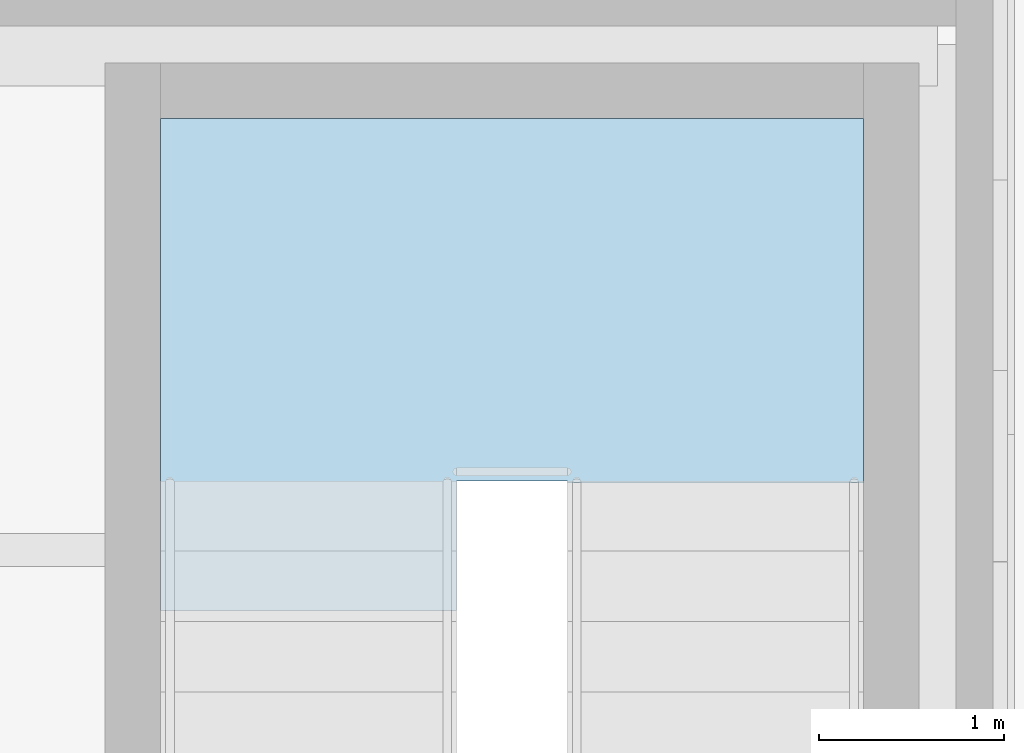
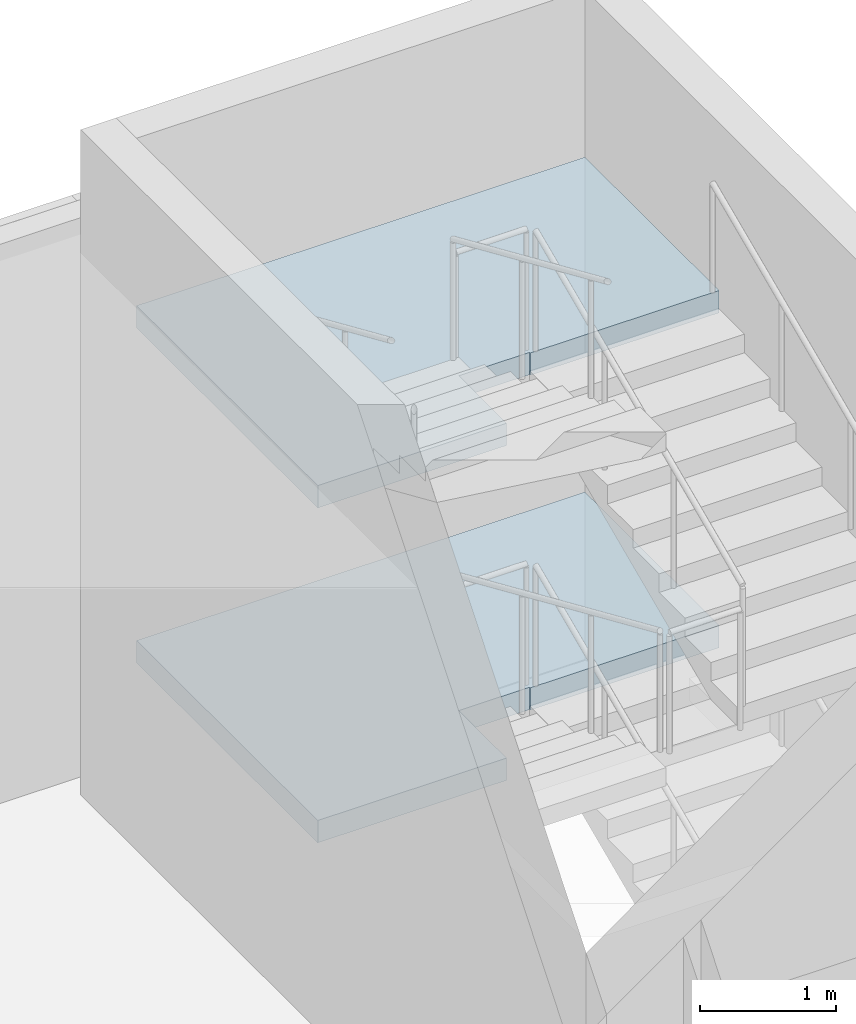
# One storey, part 89 of 155: 2 slabs, 1 element without a shape of its own.
"""IFC4 building model written with IfcOpenShell, lengths in metres."""

from ifc_helpers import new_model, si_unit, direction, frame, origin, place, context, subcontext, project, spatial, polyline, outline, extrude, material, layer, layer_set, type_object, element, aggregate, save


model = new_model("IFC4")

# Units and contexts
model_context = context("Model", 3, precision=1e-05, world=origin(), true_north=direction((0.0, 1.0)))
body_context = subcontext(model_context, "Body", "Model", "MODEL_VIEW")
ifc_project = project(units=[si_unit("LENGTHUNIT", "METRE"), si_unit("AREAUNIT", "SQUARE_METRE"), si_unit("VOLUMEUNIT", "CUBIC_METRE"), si_unit("PLANEANGLEUNIT", "RADIAN"), si_unit("MASSUNIT", "GRAM", prefix="KILO")], contexts=[model_context])

# Site, building, storey
site_placement = place(None, origin())
site = spatial("IfcSite", under=ifc_project, at=site_placement, CompositionType="ELEMENT")
building_placement = place(site_placement, origin())
building = spatial("IfcBuilding", under=site, at=building_placement, Name="Lunette Opera House", CompositionType="ELEMENT")
storey_placement = place(building_placement, origin())
storey = spatial("IfcBuildingStorey", under=building, at=storey_placement, Name="L00", CompositionType="ELEMENT", Elevation=0.0)

# Stair, slabs
ifc_material_1 = material(Name="Concrete C35/45", Category="concrete")
stair_type = type_object("IfcStairType", Name="DOGLEG STAIR 1600", PredefinedType="HALF_TURN_STAIR", material=ifc_material_1)
stair_placement = place(storey_placement, origin())
stair = element("IfcStair", 1, at=stair_placement, inside=storey, type_object=stair_type, Name="L00 stair ST19", PredefinedType="HALF_TURN_STAIR")
ifc_material_2 = material(Name="Concrete C35/45", Category="concrete")
ifc_layer = layer(ifc_material_2, 0.199951171875)
ifc_layer_set = layer_set([ifc_layer], Name="Concrete C35/45")
slab_type = type_object("IfcSlabType", Name="STAIR LANDING SLAB 200", PredefinedType="LANDING", material=ifc_layer_set)
slab_1_placement = place(storey_placement, frame((0.0, 0.0, 1.300048828125)))
slab_1 = element("IfcSlab", 2, at=slab_1_placement, type_object=slab_type, Name="ST19 landing 1", PredefinedType="LANDING", context=body_context, shape_type="SweptSolid", body=[
    extrude(outline(polyline([(183.300048828125, 133.330078125), (181.699951171875, 133.330078125), (181.699951171875, 133.340087890625), (181.10009765625, 133.340087890625), (181.10009765625, 132.639892578125), (179.5, 132.639892578125), (179.5, 135.300048828125), (183.300048828125, 135.300048828125), (183.300048828125, 133.330078125)])), origin(), (0.0, 0.0, 1.0), 0.199951171875),
])
slab_2_placement = place(storey_placement, frame((0.0, 0.0, 4.300048828125)))
slab_2 = element("IfcSlab", 3, at=slab_2_placement, type_object=slab_type, Name="ST19 landing 3", PredefinedType="LANDING", context=body_context, shape_type="SweptSolid", body=[
    extrude(outline(polyline([(183.300048828125, 133.330078125), (181.699951171875, 133.330078125), (181.699951171875, 133.340087890625), (181.10009765625, 133.340087890625), (181.10009765625, 132.639892578125), (179.5, 132.639892578125), (179.5, 135.300048828125), (183.300048828125, 135.300048828125), (183.300048828125, 133.330078125)])), origin(), (0.0, 0.0, 1.0), 0.199951171875),
])
aggregate(stair, [slab_1, slab_2])

save(model, "model.ifc")
